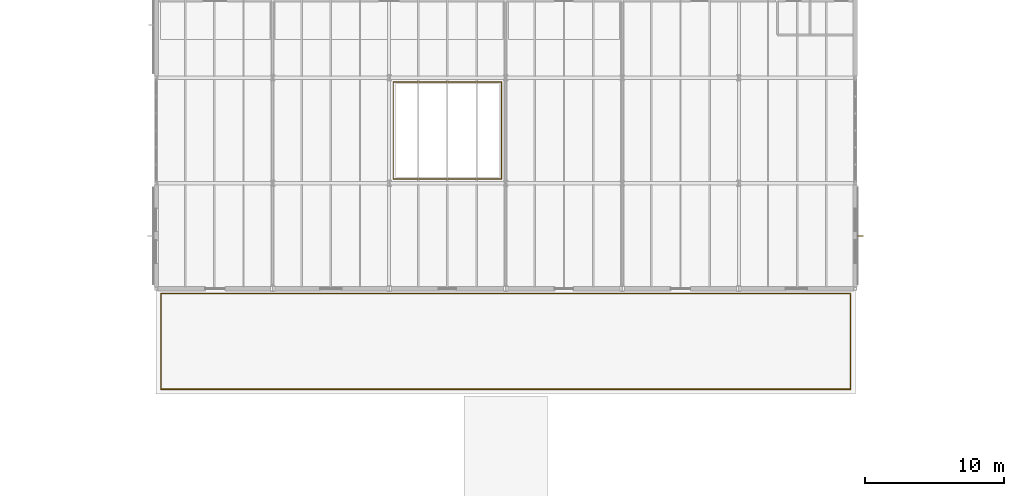
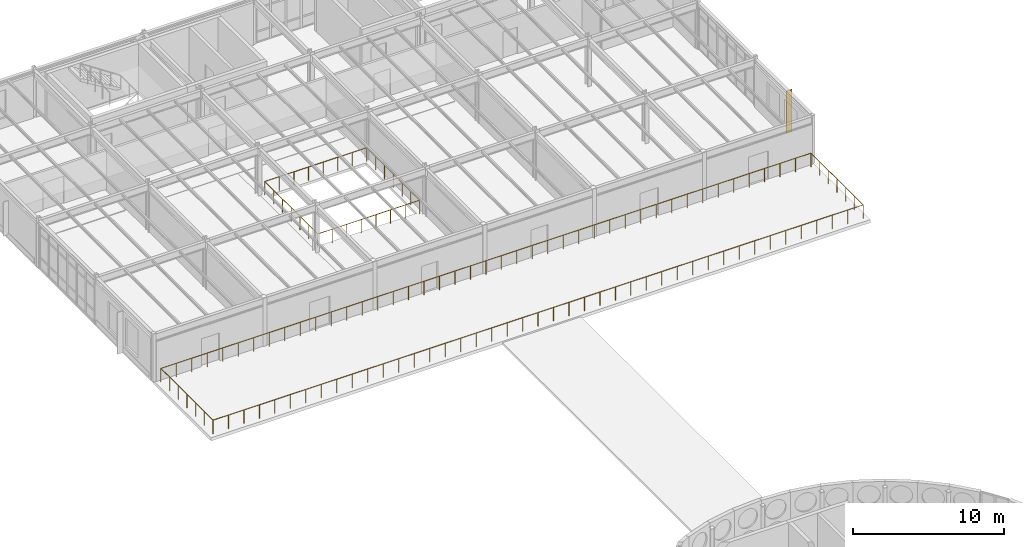
# One storey, part 109 of 114: 2 railings, 1 shading device.
"""IFC4 building model written with IfcOpenShell, lengths in metres."""

from ifc_helpers import new_model, si_unit, direction, frame, origin, origin_2d, place, context, subcontext, project, spatial, rectangle, circle, extrude, material, type_object, element, save


model = new_model("IFC4")

# Units and contexts
model_context = context("Model", 3, precision=1e-05, world=origin(), true_north=direction((0.0, 1.0)))
body_context = subcontext(model_context, "Body", "Model", "MODEL_VIEW")
ifc_project = project(units=[si_unit("LENGTHUNIT", "METRE"), si_unit("AREAUNIT", "SQUARE_METRE"), si_unit("VOLUMEUNIT", "CUBIC_METRE"), si_unit("PLANEANGLEUNIT", "RADIAN"), si_unit("MASSUNIT", "GRAM", prefix="KILO")], contexts=[model_context])

# Site, building, storey
site_placement = place(None, origin())
site = spatial("IfcSite", under=ifc_project, at=site_placement, CompositionType="ELEMENT")
building_placement = place(site_placement, origin())
building = spatial("IfcBuilding", under=site, at=building_placement, Name="Montecoro Central Library", CompositionType="ELEMENT")
storey_placement = place(building_placement, frame((0.0, 0.0, 13.260009765625)))
storey = spatial("IfcBuildingStorey", under=building, at=storey_placement, Name="L03", CompositionType="ELEMENT", Elevation=13.260009765625)

# Railings
ifc_material_1 = material(Name="Architectural bronze and laminated safety balustrade", Category="aluminium")
railing_type_1 = type_object("IfcRailingType", Name="GRD-EXT-110", PredefinedType="GUARDRAIL", material=ifc_material_1)
railing_1_placement = place(storey_placement, frame((66.75, 81.35009765625, 0.0)))
element("IfcRailing", 1, at=railing_1_placement, inside=storey, type_object=railing_type_1, Name="V2-L03-TGRD-1", PredefinedType="GUARDRAIL", context=body_context, shape_type="SweptSolid", body=[
    extrude(circle(Radius=0.02392578125, at=origin_2d()), frame((0.0, 0.0, 1.09619140625), z_axis=(1.0, 0.0, 0.0), x_axis=(0.0, 1.0, 0.0)), (0.0, 0.0, 1.0), 49.699951171875),
    extrude(circle(Radius=0.02392578125, at=origin_2d()), frame((49.699951171875, 0.0, 1.09619140625), z_axis=(0.0, 1.0, 0.0), x_axis=(-1.0, 0.0, 0.0)), (0.0, 0.0, 1.0), 6.89990234375),
    extrude(circle(Radius=0.02392578125, at=origin_2d()), frame((49.699951171875, 6.89990234375, 1.09619140625), z_axis=(-1.0, 0.0, 0.0), x_axis=(0.0, -1.0, 0.0)), (0.0, 0.0, 1.0), 49.699951171875),
    extrude(circle(Radius=0.02392578125, at=origin_2d()), frame((0.0, 6.89990234375, 1.09619140625), z_axis=(0.0, -1.0, 0.0), x_axis=(1.0, 0.0, 0.0)), (0.0, 0.0, 1.0), 6.89990234375),
    extrude(circle(Radius=0.02099609375, at=origin_2d()), origin(), (0.0, 0.0, 1.0), 1.072021484375),
    extrude(circle(Radius=0.02099609375, at=origin_2d()), frame((1.183349609375, 0.0, 0.0)), (0.0, 0.0, 1.0), 1.072021484375),
    extrude(circle(Radius=0.02099609375, at=origin_2d()), frame((2.36669921875, 0.0, 0.0)), (0.0, 0.0, 1.0), 1.072021484375),
    extrude(circle(Radius=0.02099609375, at=origin_2d()), frame((3.550048828125, 0.0, 0.0)), (0.0, 0.0, 1.0), 1.072021484375),
    extrude(circle(Radius=0.02099609375, at=origin_2d()), frame((4.7333984375, 0.0, 0.0)), (0.0, 0.0, 1.0), 1.072021484375),
    extrude(circle(Radius=0.02099609375, at=origin_2d()), frame((5.916748046875, 0.0, 0.0)), (0.0, 0.0, 1.0), 1.072021484375),
    extrude(circle(Radius=0.02099609375, at=origin_2d()), frame((7.10009765625, 0.0, 0.0)), (0.0, 0.0, 1.0), 1.072021484375),
    extrude(circle(Radius=0.02099609375, at=origin_2d()), frame((8.283203125, 0.0, 0.0)), (0.0, 0.0, 1.0), 1.072021484375),
    extrude(circle(Radius=0.02099609375, at=origin_2d()), frame((9.466552734375, 0.0, 0.0)), (0.0, 0.0, 1.0), 1.072021484375),
    extrude(circle(Radius=0.02099609375, at=origin_2d()), frame((10.64990234375, 0.0, 0.0)), (0.0, 0.0, 1.0), 1.072021484375),
    extrude(circle(Radius=0.02099609375, at=origin_2d()), frame((11.833251953125, 0.0, 0.0)), (0.0, 0.0, 1.0), 1.072021484375),
    extrude(circle(Radius=0.02099609375, at=origin_2d()), frame((13.0166015625, 0.0, 0.0)), (0.0, 0.0, 1.0), 1.072021484375),
    extrude(circle(Radius=0.02099609375, at=origin_2d()), frame((14.199951171875, 0.0, 0.0)), (0.0, 0.0, 1.0), 1.072021484375),
    extrude(circle(Radius=0.02099609375, at=origin_2d()), frame((15.38330078125, 0.0, 0.0)), (0.0, 0.0, 1.0), 1.072021484375),
    extrude(circle(Radius=0.02099609375, at=origin_2d()), frame((16.566650390625, 0.0, 0.0)), (0.0, 0.0, 1.0), 1.072021484375),
    extrude(circle(Radius=0.02099609375, at=origin_2d()), frame((17.75, 0.0, 0.0)), (0.0, 0.0, 1.0), 1.072021484375),
    extrude(circle(Radius=0.02099609375, at=origin_2d()), frame((18.933349609375, 0.0, 0.0)), (0.0, 0.0, 1.0), 1.072021484375),
    extrude(circle(Radius=0.02099609375, at=origin_2d()), frame((20.11669921875, 0.0, 0.0)), (0.0, 0.0, 1.0), 1.072021484375),
    extrude(circle(Radius=0.02099609375, at=origin_2d()), frame((21.300048828125, 0.0, 0.0)), (0.0, 0.0, 1.0), 1.072021484375),
    extrude(circle(Radius=0.02099609375, at=origin_2d()), frame((22.4833984375, 0.0, 0.0)), (0.0, 0.0, 1.0), 1.072021484375),
    extrude(circle(Radius=0.02099609375, at=origin_2d()), frame((23.666748046875, 0.0, 0.0)), (0.0, 0.0, 1.0), 1.072021484375),
    extrude(circle(Radius=0.02099609375, at=origin_2d()), frame((24.85009765625, 0.0, 0.0)), (0.0, 0.0, 1.0), 1.072021484375),
    extrude(circle(Radius=0.02099609375, at=origin_2d()), frame((26.033203125, 0.0, 0.0)), (0.0, 0.0, 1.0), 1.072021484375),
    extrude(circle(Radius=0.02099609375, at=origin_2d()), frame((27.216552734375, 0.0, 0.0)), (0.0, 0.0, 1.0), 1.072021484375),
    extrude(circle(Radius=0.02099609375, at=origin_2d()), frame((28.39990234375, 0.0, 0.0)), (0.0, 0.0, 1.0), 1.072021484375),
    extrude(circle(Radius=0.02099609375, at=origin_2d()), frame((29.583251953125, 0.0, 0.0)), (0.0, 0.0, 1.0), 1.072021484375),
    extrude(circle(Radius=0.02099609375, at=origin_2d()), frame((30.7666015625, 0.0, 0.0)), (0.0, 0.0, 1.0), 1.072021484375),
    extrude(circle(Radius=0.02099609375, at=origin_2d()), frame((31.949951171875, 0.0, 0.0)), (0.0, 0.0, 1.0), 1.072021484375),
    extrude(circle(Radius=0.02099609375, at=origin_2d()), frame((33.13330078125, 0.0, 0.0)), (0.0, 0.0, 1.0), 1.072021484375),
    extrude(circle(Radius=0.02099609375, at=origin_2d()), frame((34.316650390625, 0.0, 0.0)), (0.0, 0.0, 1.0), 1.072021484375),
    extrude(circle(Radius=0.02099609375, at=origin_2d()), frame((35.5, 0.0, 0.0)), (0.0, 0.0, 1.0), 1.072021484375),
    extrude(circle(Radius=0.02099609375, at=origin_2d()), frame((36.683349609375, 0.0, 0.0)), (0.0, 0.0, 1.0), 1.072021484375),
    extrude(circle(Radius=0.02099609375, at=origin_2d()), frame((37.86669921875, 0.0, 0.0)), (0.0, 0.0, 1.0), 1.072021484375),
    extrude(circle(Radius=0.02099609375, at=origin_2d()), frame((39.050048828125, 0.0, 0.0)), (0.0, 0.0, 1.0), 1.072021484375),
    extrude(circle(Radius=0.02099609375, at=origin_2d()), frame((40.2333984375, 0.0, 0.0)), (0.0, 0.0, 1.0), 1.072021484375),
    extrude(circle(Radius=0.02099609375, at=origin_2d()), frame((41.41650390625, 0.0, 0.0)), (0.0, 0.0, 1.0), 1.072021484375),
    extrude(circle(Radius=0.02099609375, at=origin_2d()), frame((42.599853515625, 0.0, 0.0)), (0.0, 0.0, 1.0), 1.072021484375),
    extrude(circle(Radius=0.02099609375, at=origin_2d()), frame((43.783203125, 0.0, 0.0)), (0.0, 0.0, 1.0), 1.072021484375),
    extrude(circle(Radius=0.02099609375, at=origin_2d()), frame((44.966552734375, 0.0, 0.0)), (0.0, 0.0, 1.0), 1.072021484375),
    extrude(circle(Radius=0.02099609375, at=origin_2d()), frame((46.14990234375, 0.0, 0.0)), (0.0, 0.0, 1.0), 1.072021484375),
    extrude(circle(Radius=0.02099609375, at=origin_2d()), frame((47.333251953125, 0.0, 0.0)), (0.0, 0.0, 1.0), 1.072021484375),
    extrude(circle(Radius=0.02099609375, at=origin_2d()), frame((48.5166015625, 0.0, 0.0)), (0.0, 0.0, 1.0), 1.072021484375),
    extrude(circle(Radius=0.02099609375, at=origin_2d()), frame((49.699951171875, 0.0, 0.0)), (0.0, 0.0, 1.0), 1.072021484375),
    extrude(circle(Radius=0.02099609375, at=origin_2d()), frame((49.699951171875, 1.14990234375, 0.0)), (0.0, 0.0, 1.0), 1.072021484375),
    extrude(circle(Radius=0.02099609375, at=origin_2d()), frame((49.699951171875, 2.300048828125, 0.0)), (0.0, 0.0, 1.0), 1.072021484375),
    extrude(circle(Radius=0.02099609375, at=origin_2d()), frame((49.699951171875, 3.449951171875, 0.0)), (0.0, 0.0, 1.0), 1.072021484375),
    extrude(circle(Radius=0.02099609375, at=origin_2d()), frame((49.699951171875, 4.599853515625, 0.0)), (0.0, 0.0, 1.0), 1.072021484375),
    extrude(circle(Radius=0.02099609375, at=origin_2d()), frame((49.699951171875, 5.75, 0.0)), (0.0, 0.0, 1.0), 1.072021484375),
    extrude(circle(Radius=0.02099609375, at=origin_2d()), frame((49.699951171875, 6.89990234375, 0.0)), (0.0, 0.0, 1.0), 1.072021484375),
    extrude(circle(Radius=0.02099609375, at=origin_2d()), frame((48.5166015625, 6.89990234375, 0.0)), (0.0, 0.0, 1.0), 1.072021484375),
    extrude(circle(Radius=0.02099609375, at=origin_2d()), frame((47.333251953125, 6.89990234375, 0.0)), (0.0, 0.0, 1.0), 1.072021484375),
    extrude(circle(Radius=0.02099609375, at=origin_2d()), frame((46.14990234375, 6.89990234375, 0.0)), (0.0, 0.0, 1.0), 1.072021484375),
    extrude(circle(Radius=0.02099609375, at=origin_2d()), frame((44.966552734375, 6.89990234375, 0.0)), (0.0, 0.0, 1.0), 1.072021484375),
    extrude(circle(Radius=0.02099609375, at=origin_2d()), frame((43.783203125, 6.89990234375, 0.0)), (0.0, 0.0, 1.0), 1.072021484375),
    extrude(circle(Radius=0.02099609375, at=origin_2d()), frame((42.599853515625, 6.89990234375, 0.0)), (0.0, 0.0, 1.0), 1.072021484375),
    extrude(circle(Radius=0.02099609375, at=origin_2d()), frame((41.41650390625, 6.89990234375, 0.0)), (0.0, 0.0, 1.0), 1.072021484375),
    extrude(circle(Radius=0.02099609375, at=origin_2d()), frame((40.2333984375, 6.89990234375, 0.0)), (0.0, 0.0, 1.0), 1.072021484375),
    extrude(circle(Radius=0.02099609375, at=origin_2d()), frame((39.050048828125, 6.89990234375, 0.0)), (0.0, 0.0, 1.0), 1.072021484375),
    extrude(circle(Radius=0.02099609375, at=origin_2d()), frame((37.86669921875, 6.89990234375, 0.0)), (0.0, 0.0, 1.0), 1.072021484375),
    extrude(circle(Radius=0.02099609375, at=origin_2d()), frame((36.683349609375, 6.89990234375, 0.0)), (0.0, 0.0, 1.0), 1.072021484375),
    extrude(circle(Radius=0.02099609375, at=origin_2d()), frame((35.5, 6.89990234375, 0.0)), (0.0, 0.0, 1.0), 1.072021484375),
    extrude(circle(Radius=0.02099609375, at=origin_2d()), frame((34.316650390625, 6.89990234375, 0.0)), (0.0, 0.0, 1.0), 1.072021484375),
    extrude(circle(Radius=0.02099609375, at=origin_2d()), frame((33.13330078125, 6.89990234375, 0.0)), (0.0, 0.0, 1.0), 1.072021484375),
    extrude(circle(Radius=0.02099609375, at=origin_2d()), frame((31.949951171875, 6.89990234375, 0.0)), (0.0, 0.0, 1.0), 1.072021484375),
    extrude(circle(Radius=0.02099609375, at=origin_2d()), frame((30.7666015625, 6.89990234375, 0.0)), (0.0, 0.0, 1.0), 1.072021484375),
    extrude(circle(Radius=0.02099609375, at=origin_2d()), frame((29.583251953125, 6.89990234375, 0.0)), (0.0, 0.0, 1.0), 1.072021484375),
    extrude(circle(Radius=0.02099609375, at=origin_2d()), frame((28.39990234375, 6.89990234375, 0.0)), (0.0, 0.0, 1.0), 1.072021484375),
    extrude(circle(Radius=0.02099609375, at=origin_2d()), frame((27.216552734375, 6.89990234375, 0.0)), (0.0, 0.0, 1.0), 1.072021484375),
    extrude(circle(Radius=0.02099609375, at=origin_2d()), frame((26.033203125, 6.89990234375, 0.0)), (0.0, 0.0, 1.0), 1.072021484375),
    extrude(circle(Radius=0.02099609375, at=origin_2d()), frame((24.85009765625, 6.89990234375, 0.0)), (0.0, 0.0, 1.0), 1.072021484375),
    extrude(circle(Radius=0.02099609375, at=origin_2d()), frame((23.666748046875, 6.89990234375, 0.0)), (0.0, 0.0, 1.0), 1.072021484375),
    extrude(circle(Radius=0.02099609375, at=origin_2d()), frame((22.4833984375, 6.89990234375, 0.0)), (0.0, 0.0, 1.0), 1.072021484375),
    extrude(circle(Radius=0.02099609375, at=origin_2d()), frame((21.300048828125, 6.89990234375, 0.0)), (0.0, 0.0, 1.0), 1.072021484375),
    extrude(circle(Radius=0.02099609375, at=origin_2d()), frame((20.11669921875, 6.89990234375, 0.0)), (0.0, 0.0, 1.0), 1.072021484375),
    extrude(circle(Radius=0.02099609375, at=origin_2d()), frame((18.933349609375, 6.89990234375, 0.0)), (0.0, 0.0, 1.0), 1.072021484375),
    extrude(circle(Radius=0.02099609375, at=origin_2d()), frame((17.75, 6.89990234375, 0.0)), (0.0, 0.0, 1.0), 1.072021484375),
    extrude(circle(Radius=0.02099609375, at=origin_2d()), frame((16.566650390625, 6.89990234375, 0.0)), (0.0, 0.0, 1.0), 1.072021484375),
    extrude(circle(Radius=0.02099609375, at=origin_2d()), frame((15.38330078125, 6.89990234375, 0.0)), (0.0, 0.0, 1.0), 1.072021484375),
    extrude(circle(Radius=0.02099609375, at=origin_2d()), frame((14.199951171875, 6.89990234375, 0.0)), (0.0, 0.0, 1.0), 1.072021484375),
    extrude(circle(Radius=0.02099609375, at=origin_2d()), frame((13.0166015625, 6.89990234375, 0.0)), (0.0, 0.0, 1.0), 1.072021484375),
    extrude(circle(Radius=0.02099609375, at=origin_2d()), frame((11.833251953125, 6.89990234375, 0.0)), (0.0, 0.0, 1.0), 1.072021484375),
    extrude(circle(Radius=0.02099609375, at=origin_2d()), frame((10.64990234375, 6.89990234375, 0.0)), (0.0, 0.0, 1.0), 1.072021484375),
    extrude(circle(Radius=0.02099609375, at=origin_2d()), frame((9.466552734375, 6.89990234375, 0.0)), (0.0, 0.0, 1.0), 1.072021484375),
    extrude(circle(Radius=0.02099609375, at=origin_2d()), frame((8.283203125, 6.89990234375, 0.0)), (0.0, 0.0, 1.0), 1.072021484375),
    extrude(circle(Radius=0.02099609375, at=origin_2d()), frame((7.10009765625, 6.89990234375, 0.0)), (0.0, 0.0, 1.0), 1.072021484375),
    extrude(circle(Radius=0.02099609375, at=origin_2d()), frame((5.916748046875, 6.89990234375, 0.0)), (0.0, 0.0, 1.0), 1.072021484375),
    extrude(circle(Radius=0.02099609375, at=origin_2d()), frame((4.7333984375, 6.89990234375, 0.0)), (0.0, 0.0, 1.0), 1.072021484375),
    extrude(circle(Radius=0.02099609375, at=origin_2d()), frame((3.550048828125, 6.89990234375, 0.0)), (0.0, 0.0, 1.0), 1.072021484375),
    extrude(circle(Radius=0.02099609375, at=origin_2d()), frame((2.36669921875, 6.89990234375, 0.0)), (0.0, 0.0, 1.0), 1.072021484375),
    extrude(circle(Radius=0.02099609375, at=origin_2d()), frame((1.183349609375, 6.89990234375, 0.0)), (0.0, 0.0, 1.0), 1.072021484375),
    extrude(circle(Radius=0.02099609375, at=origin_2d()), frame((0.0, 6.89990234375, 0.0)), (0.0, 0.0, 1.0), 1.072021484375),
    extrude(circle(Radius=0.02099609375, at=origin_2d()), frame((0.0, 5.75, 0.0)), (0.0, 0.0, 1.0), 1.072021484375),
    extrude(circle(Radius=0.02099609375, at=origin_2d()), frame((0.0, 4.599853515625, 0.0)), (0.0, 0.0, 1.0), 1.072021484375),
    extrude(circle(Radius=0.02099609375, at=origin_2d()), frame((0.0, 3.449951171875, 0.0)), (0.0, 0.0, 1.0), 1.072021484375),
    extrude(circle(Radius=0.02099609375, at=origin_2d()), frame((0.0, 2.300048828125, 0.0)), (0.0, 0.0, 1.0), 1.072021484375),
    extrude(circle(Radius=0.02099609375, at=origin_2d()), frame((0.0, 1.14990234375, 0.0)), (0.0, 0.0, 1.0), 1.072021484375),
])
ifc_material_2 = material(Name="Brushed stainless steel and bronze balustrade", Category="steel")
railing_type_2 = type_object("IfcRailingType", Name="GRD-INT-110", PredefinedType="GUARDRAIL", material=ifc_material_2)
railing_2_placement = place(storey_placement, frame((83.5, 96.5, 0.0)))
element("IfcRailing", 2, at=railing_2_placement, inside=storey, type_object=railing_type_2, Name="V2-L03-ATR-GRD", PredefinedType="GUARDRAIL", context=body_context, shape_type="SweptSolid", body=[
    extrude(circle(Radius=0.02392578125, at=origin_2d()), frame((0.0, 0.0, 1.09619140625), z_axis=(1.0, 0.0, 0.0), x_axis=(0.0, 1.0, 0.0)), (0.0, 0.0, 1.0), 7.800048828125),
    extrude(circle(Radius=0.02392578125, at=origin_2d()), frame((7.800048828125, 0.0, 1.09619140625), z_axis=(0.0, 1.0, 0.0), x_axis=(-1.0, 0.0, 0.0)), (0.0, 0.0, 1.0), 7.0),
    extrude(circle(Radius=0.02392578125, at=origin_2d()), frame((7.800048828125, 7.0, 1.09619140625), z_axis=(-1.0, 0.0, 0.0), x_axis=(0.0, -1.0, 0.0)), (0.0, 0.0, 1.0), 7.800048828125),
    extrude(circle(Radius=0.02392578125, at=origin_2d()), frame((0.0, 7.0, 1.09619140625), z_axis=(0.0, -1.0, 0.0), x_axis=(1.0, 0.0, 0.0)), (0.0, 0.0, 1.0), 7.0),
    extrude(circle(Radius=0.02099609375, at=origin_2d()), origin(), (0.0, 0.0, 1.0), 1.072021484375),
    extrude(circle(Radius=0.02099609375, at=origin_2d()), frame((1.1142578125, 0.0, 0.0)), (0.0, 0.0, 1.0), 1.072021484375),
    extrude(circle(Radius=0.02099609375, at=origin_2d()), frame((2.228515625, 0.0, 0.0)), (0.0, 0.0, 1.0), 1.072021484375),
    extrude(circle(Radius=0.02099609375, at=origin_2d()), frame((3.3427734375, 0.0, 0.0)), (0.0, 0.0, 1.0), 1.072021484375),
    extrude(circle(Radius=0.02099609375, at=origin_2d()), frame((4.457275390625, 0.0, 0.0)), (0.0, 0.0, 1.0), 1.072021484375),
    extrude(circle(Radius=0.02099609375, at=origin_2d()), frame((5.571533203125, 0.0, 0.0)), (0.0, 0.0, 1.0), 1.072021484375),
    extrude(circle(Radius=0.02099609375, at=origin_2d()), frame((6.685791015625, 0.0, 0.0)), (0.0, 0.0, 1.0), 1.072021484375),
    extrude(circle(Radius=0.02099609375, at=origin_2d()), frame((7.800048828125, 0.0, 0.0)), (0.0, 0.0, 1.0), 1.072021484375),
    extrude(circle(Radius=0.02099609375, at=origin_2d()), frame((7.800048828125, 1.166748046875, 0.0)), (0.0, 0.0, 1.0), 1.072021484375),
    extrude(circle(Radius=0.02099609375, at=origin_2d()), frame((7.800048828125, 2.333251953125, 0.0)), (0.0, 0.0, 1.0), 1.072021484375),
    extrude(circle(Radius=0.02099609375, at=origin_2d()), frame((7.800048828125, 3.5, 0.0)), (0.0, 0.0, 1.0), 1.072021484375),
    extrude(circle(Radius=0.02099609375, at=origin_2d()), frame((7.800048828125, 4.666748046875, 0.0)), (0.0, 0.0, 1.0), 1.072021484375),
    extrude(circle(Radius=0.02099609375, at=origin_2d()), frame((7.800048828125, 5.833251953125, 0.0)), (0.0, 0.0, 1.0), 1.072021484375),
    extrude(circle(Radius=0.02099609375, at=origin_2d()), frame((7.800048828125, 7.0, 0.0)), (0.0, 0.0, 1.0), 1.072021484375),
    extrude(circle(Radius=0.02099609375, at=origin_2d()), frame((6.685791015625, 7.0, 0.0)), (0.0, 0.0, 1.0), 1.072021484375),
    extrude(circle(Radius=0.02099609375, at=origin_2d()), frame((5.571533203125, 7.0, 0.0)), (0.0, 0.0, 1.0), 1.072021484375),
    extrude(circle(Radius=0.02099609375, at=origin_2d()), frame((4.457275390625, 7.0, 0.0)), (0.0, 0.0, 1.0), 1.072021484375),
    extrude(circle(Radius=0.02099609375, at=origin_2d()), frame((3.3427734375, 7.0, 0.0)), (0.0, 0.0, 1.0), 1.072021484375),
    extrude(circle(Radius=0.02099609375, at=origin_2d()), frame((2.228515625, 7.0, 0.0)), (0.0, 0.0, 1.0), 1.072021484375),
    extrude(circle(Radius=0.02099609375, at=origin_2d()), frame((1.1142578125, 7.0, 0.0)), (0.0, 0.0, 1.0), 1.072021484375),
    extrude(circle(Radius=0.02099609375, at=origin_2d()), frame((0.0, 7.0, 0.0)), (0.0, 0.0, 1.0), 1.072021484375),
    extrude(circle(Radius=0.02099609375, at=origin_2d()), frame((0.0, 5.833251953125, 0.0)), (0.0, 0.0, 1.0), 1.072021484375),
    extrude(circle(Radius=0.02099609375, at=origin_2d()), frame((0.0, 4.666748046875, 0.0)), (0.0, 0.0, 1.0), 1.072021484375),
    extrude(circle(Radius=0.02099609375, at=origin_2d()), frame((0.0, 3.5, 0.0)), (0.0, 0.0, 1.0), 1.072021484375),
    extrude(circle(Radius=0.02099609375, at=origin_2d()), frame((0.0, 2.333251953125, 0.0)), (0.0, 0.0, 1.0), 1.072021484375),
    extrude(circle(Radius=0.02099609375, at=origin_2d()), frame((0.0, 1.166748046875, 0.0)), (0.0, 0.0, 1.0), 1.072021484375),
])

# Shading device
ifc_material_3 = material(Name="Architectural bronze solar fin", Category="aluminium")
shading_device_type = type_object("IfcShadingDeviceType", Name="SHD-FIN-09", PredefinedType="USERDEFINED", material=ifc_material_3)
shading_device_placement = place(storey_placement, frame((117.17041015625, 92.39990234375, 0.06005859375), z_axis=(0.0, 0.0, 1.0), x_axis=(0.0, 1.0, 0.0)))
element("IfcShadingDevice", 3, at=shading_device_placement, inside=storey, type_object=shading_device_type, Name="V2-L03-FIN-E0", ObjectType="SOLAR FIN", PredefinedType="USERDEFINED", context=body_context, shape_type="SweptSolid", body=[
    extrude(rectangle(XDim=0.06005859375, YDim=0.419921875, at=origin_2d()), origin(), (0.0, 0.0, 1.0), 3.360107421875),
])

save(model, "model.ifc")
